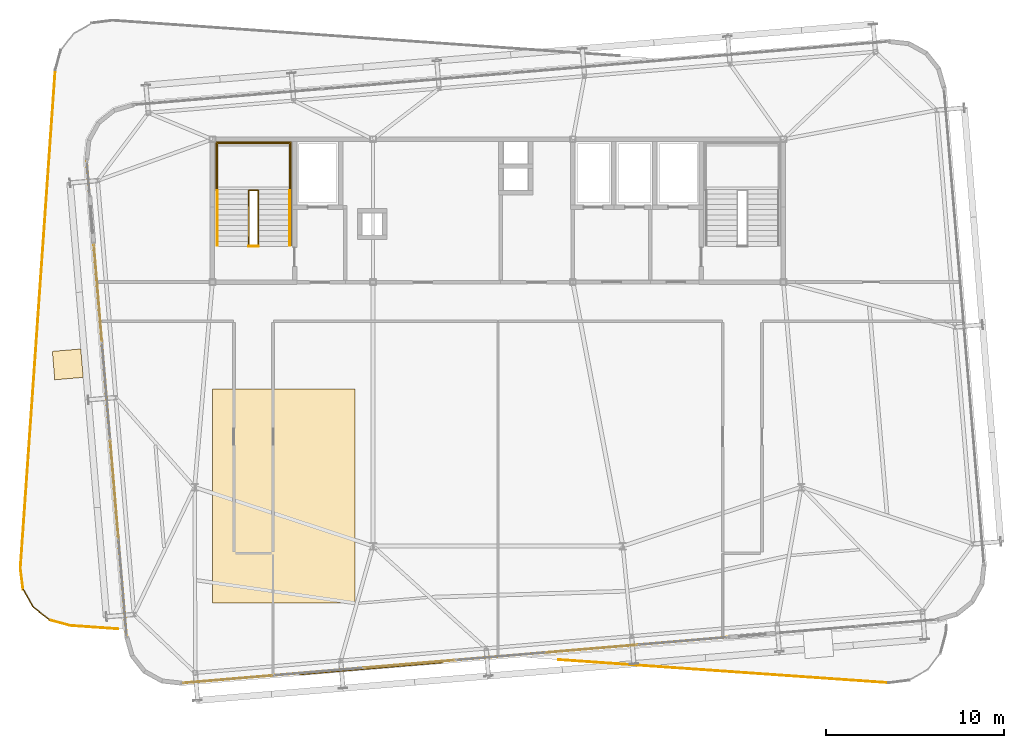
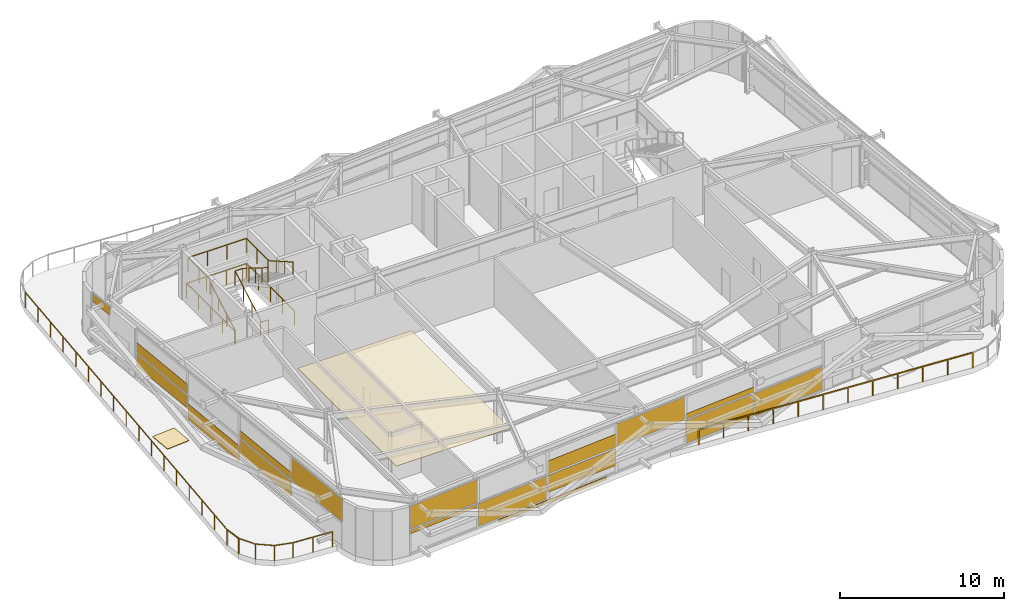
# One storey, part 36 of 38: 19 coverings, 13 railings.
"""IFC4 building model written with IfcOpenShell, lengths in metres."""

from ifc_helpers import new_model, si_unit, direction, frame, origin, origin_2d, place, context, subcontext, project, spatial, rectangle, extrude, source, transform, mapped, material, layer, layer_set, type_object, element, save


model = new_model("IFC4")

# Units and contexts
model_context = context("Model", 3, precision=1e-05, world=origin(), true_north=direction((0.0, 1.0)))
body_context = subcontext(model_context, "Body", "Model", "MODEL_VIEW")
ifc_project = project(units=[si_unit("LENGTHUNIT", "METRE"), si_unit("AREAUNIT", "SQUARE_METRE"), si_unit("VOLUMEUNIT", "CUBIC_METRE"), si_unit("PLANEANGLEUNIT", "RADIAN"), si_unit("MASSUNIT", "GRAM", prefix="KILO")], contexts=[model_context])

# Site, building, storey
site_placement = place(None, origin())
site = spatial("IfcSite", under=ifc_project, at=site_placement, CompositionType="ELEMENT")
building_placement = place(site_placement, origin())
building = spatial("IfcBuilding", under=site, at=building_placement, Name="Taldren Reach Tower", CompositionType="ELEMENT")
storey_placement = place(building_placement, frame((0.0, 0.0, 168.699951171875)))
storey = spatial("IfcBuildingStorey", under=building, at=storey_placement, Name="L51", CompositionType="ELEMENT", Elevation=168.699951171875)

# Railings
ifc_material_1 = material(Name="Steel Gr 350 (C350L0)", Category="steel")
ifc_layer_1 = layer(ifc_material_1, 0.050048828125)
ifc_layer_set_1 = layer_set([ifc_layer_1], Name="Steel Gr 350 (C350L0)")
railing_type_1 = type_object("IfcRailingType", Name="RL-STAIR-GR", PredefinedType="GUARDRAIL", material=ifc_layer_set_1)
railing_1_placement = place(storey_placement, frame((19.260009765625, 29.135009765625, 1.925048828125)))
element("IfcRailing", 1, at=railing_1_placement, inside=storey, type_object=railing_type_1, Name="Stair half-landing perimeter guard ST1-L51", PredefinedType="GUARDRAIL", context=body_context, shape_type="SweptSolid", body=[
    extrude(rectangle(XDim=0.047852, YDim=0.047852, at=origin_2d()), frame((0.0, 0.0, 1.09619140625), z_axis=(0.0, 1.0, 0.0), x_axis=(-1.0, 0.0, 0.0)), (0.0, 0.0, 1.0), 2.64501953125),
    extrude(rectangle(XDim=0.047852, YDim=0.047852, at=origin_2d()), frame((0.0, 2.64501953125, 1.09619140625), z_axis=(1.0, 0.0, 0.0), x_axis=(0.0, 1.0, 0.0)), (0.0, 0.0, 1.0), 4.080078125),
    extrude(rectangle(XDim=0.047852, YDim=0.047852, at=origin_2d()), frame((4.080078125, 2.64501953125, 1.09619140625), z_axis=(0.0, -1.0, 0.0), x_axis=(1.0, 0.0, 0.0)), (0.0, 0.0, 1.0), 2.64501953125),
    extrude(rectangle(XDim=0.041992, YDim=0.041992, at=origin_2d()), origin(), (0.0, 0.0, 1.0), 1.072021484375),
    extrude(rectangle(XDim=0.041992, YDim=0.041992, at=origin_2d()), frame((0.0, 1.322509765625, 0.0)), (0.0, 0.0, 1.0), 1.072021484375),
    extrude(rectangle(XDim=0.041992, YDim=0.041992, at=origin_2d()), frame((0.0, 2.64501953125, 0.0)), (0.0, 0.0, 1.0), 1.072021484375),
    extrude(rectangle(XDim=0.041992, YDim=0.041992, at=origin_2d()), frame((1.360107421875, 2.64501953125, 0.0)), (0.0, 0.0, 1.0), 1.072021484375),
    extrude(rectangle(XDim=0.041992, YDim=0.041992, at=origin_2d()), frame((2.719970703125, 2.64501953125, 0.0)), (0.0, 0.0, 1.0), 1.072021484375),
    extrude(rectangle(XDim=0.041992, YDim=0.041992, at=origin_2d()), frame((4.080078125, 2.64501953125, 0.0)), (0.0, 0.0, 1.0), 1.072021484375),
    extrude(rectangle(XDim=0.041992, YDim=0.041992, at=origin_2d()), frame((4.080078125, 1.322509765625, 0.0)), (0.0, 0.0, 1.0), 1.072021484375),
    extrude(rectangle(XDim=0.041992, YDim=0.041992, at=origin_2d()), frame((4.080078125, 0.0, 0.0)), (0.0, 0.0, 1.0), 1.072021484375),
])
railing_2_placement = place(storey_placement, frame((21.030029296875, 26.050048828125, 0.160400390625)))
element("IfcRailing", 2, at=railing_2_placement, inside=storey, type_object=railing_type_1, Name="Stairwell inner guard ST1-L51", PredefinedType="GUARDRAIL", context=body_context, shape_type="SweptSolid", body=[
    extrude(rectangle(XDim=0.047852, YDim=0.047852, at=origin_2d()), frame((0.0, 0.0, 1.09619140625), z_axis=(0.0, 0.868023234622, 0.496523578652), x_axis=(-1.0, 0.0, 0.0)), (0.0, 0.0, 1.0), 3.553955078125),
    extrude(rectangle(XDim=0.047852, YDim=0.047852, at=origin_2d()), frame((0.0, 3.0849609375, 2.86083984375), z_axis=(1.0, 0.0, 0.0), x_axis=(0.0, 1.0, 0.0)), (0.0, 0.0, 1.0), 0.5400390625),
    extrude(rectangle(XDim=0.047852, YDim=0.047852, at=origin_2d()), frame((0.5400390625, 3.0849609375, 2.86083984375), z_axis=(0.0, -0.848375277705, 0.529395304266), x_axis=(1.0, 0.0, 0.0)), (0.0, 0.0, 1.0), 3.63623046875),
    extrude(rectangle(XDim=0.041992, YDim=0.041992, at=origin_2d()), origin(), (0.0, 0.0, 1.0), 1.072021484375),
    extrude(rectangle(XDim=0.041992, YDim=0.041992, at=origin_2d()), frame((0.0, 1.0283203125, 0.588134765625)), (0.0, 0.0, 1.0), 1.072021484375),
    extrude(rectangle(XDim=0.041992, YDim=0.041992, at=origin_2d()), frame((0.0, 2.056640625, 1.176513671875)), (0.0, 0.0, 1.0), 1.072021484375),
    extrude(rectangle(XDim=0.041992, YDim=0.041992, at=origin_2d()), frame((0.0, 3.0849609375, 1.7646484375)), (0.0, 0.0, 1.0), 1.072021484375),
    extrude(rectangle(XDim=0.041992, YDim=0.041992, at=origin_2d()), frame((0.5400390625, 3.0849609375, 1.7646484375)), (0.0, 0.0, 1.0), 1.072021484375),
    extrude(rectangle(XDim=0.041992, YDim=0.041992, at=origin_2d()), frame((0.5400390625, 2.313720703125, 2.245849609375)), (0.0, 0.0, 1.0), 1.072021484375),
    extrude(rectangle(XDim=0.041992, YDim=0.041992, at=origin_2d()), frame((0.5400390625, 1.54248046875, 2.72705078125)), (0.0, 0.0, 1.0), 1.072021484375),
    extrude(rectangle(XDim=0.041992, YDim=0.041992, at=origin_2d()), frame((0.5400390625, 0.771240234375, 3.20849609375)), (0.0, 0.0, 1.0), 1.072021484375),
    extrude(rectangle(XDim=0.041992, YDim=0.041992, at=origin_2d()), frame((0.5400390625, 0.0, 3.689697265625)), (0.0, 0.0, 1.0), 1.072021484375),
])
railing_3_placement = place(storey_placement, frame((21.030029296875, 26.010009765625, 0.0)))
element("IfcRailing", 3, at=railing_3_placement, inside=storey, type_object=railing_type_1, Name="Stairwell landing slot guard ST1-L51", PredefinedType="GUARDRAIL", context=body_context, shape_type="SweptSolid", body=[
    extrude(rectangle(XDim=0.047852, YDim=0.047852, at=origin_2d()), frame((0.0, 0.0, 1.09619140625), z_axis=(1.0, 0.0, 0.0), x_axis=(0.0, 1.0, 0.0)), (0.0, 0.0, 1.0), 0.5400390625),
    extrude(rectangle(XDim=0.041992, YDim=0.041992, at=origin_2d()), origin(), (0.0, 0.0, 1.0), 1.072021484375),
    extrude(rectangle(XDim=0.041992, YDim=0.041992, at=origin_2d()), frame((0.5400390625, 0.0, 0.0)), (0.0, 0.0, 1.0), 1.072021484375),
])
railing_4_placement = place(storey_placement, frame((19.18994140625, 26.050048828125, 0.0)))
element("IfcRailing", 4, at=railing_4_placement, inside=storey, type_object=railing_type_1, Name="Stairwell floor opening guard ST1-L51", PredefinedType="GUARDRAIL", context=body_context, shape_type="SweptSolid", body=[
    extrude(rectangle(XDim=0.047852, YDim=0.047852, at=origin_2d()), frame((0.0, 0.0, 1.09619140625), z_axis=(0.0, 1.0, 0.0), x_axis=(-1.0, 0.0, 0.0)), (0.0, 0.0, 1.0), 5.800048828125),
    extrude(rectangle(XDim=0.047852, YDim=0.047852, at=origin_2d()), frame((0.0, 5.800048828125, 1.09619140625), z_axis=(1.0, 0.0, 0.0), x_axis=(0.0, 1.0, 0.0)), (0.0, 0.0, 1.0), 4.219970703125),
    extrude(rectangle(XDim=0.047852, YDim=0.047852, at=origin_2d()), frame((4.219970703125, 5.800048828125, 1.09619140625), z_axis=(0.0, -1.0, 0.0), x_axis=(1.0, 0.0, 0.0)), (0.0, 0.0, 1.0), 5.800048828125),
    extrude(rectangle(XDim=0.041992, YDim=0.041992, at=origin_2d()), origin(), (0.0, 0.0, 1.0), 1.072021484375),
    extrude(rectangle(XDim=0.041992, YDim=0.041992, at=origin_2d()), frame((0.0, 1.449951171875, 0.0)), (0.0, 0.0, 1.0), 1.072021484375),
    extrude(rectangle(XDim=0.041992, YDim=0.041992, at=origin_2d()), frame((0.0, 2.89990234375, 0.0)), (0.0, 0.0, 1.0), 1.072021484375),
    extrude(rectangle(XDim=0.041992, YDim=0.041992, at=origin_2d()), frame((0.0, 4.35009765625, 0.0)), (0.0, 0.0, 1.0), 1.072021484375),
    extrude(rectangle(XDim=0.041992, YDim=0.041992, at=origin_2d()), frame((0.0, 5.800048828125, 0.0)), (0.0, 0.0, 1.0), 1.072021484375),
    extrude(rectangle(XDim=0.041992, YDim=0.041992, at=origin_2d()), frame((1.40673828125, 5.800048828125, 0.0)), (0.0, 0.0, 1.0), 1.072021484375),
    extrude(rectangle(XDim=0.041992, YDim=0.041992, at=origin_2d()), frame((2.813232421875, 5.800048828125, 0.0)), (0.0, 0.0, 1.0), 1.072021484375),
    extrude(rectangle(XDim=0.041992, YDim=0.041992, at=origin_2d()), frame((4.219970703125, 5.800048828125, 0.0)), (0.0, 0.0, 1.0), 1.072021484375),
    extrude(rectangle(XDim=0.041992, YDim=0.041992, at=origin_2d()), frame((4.219970703125, 4.35009765625, 0.0)), (0.0, 0.0, 1.0), 1.072021484375),
    extrude(rectangle(XDim=0.041992, YDim=0.041992, at=origin_2d()), frame((4.219970703125, 2.89990234375, 0.0)), (0.0, 0.0, 1.0), 1.072021484375),
    extrude(rectangle(XDim=0.041992, YDim=0.041992, at=origin_2d()), frame((4.219970703125, 1.449951171875, 0.0)), (0.0, 0.0, 1.0), 1.072021484375),
    extrude(rectangle(XDim=0.041992, YDim=0.041992, at=origin_2d()), frame((4.219970703125, 0.0, 0.0)), (0.0, 0.0, 1.0), 1.072021484375),
])
ifc_material_2 = material(Name="Stainless Steel Gr 316", Category="steel")
ifc_layer_2 = layer(ifc_material_2, 0.048095703125)
ifc_layer_set_2 = layer_set([ifc_layer_2], Name="Stainless Steel Gr 316")
railing_type_2 = type_object("IfcRailingType", Name="RL-STAIR-HR", PredefinedType="HANDRAIL", material=ifc_layer_set_2)
railing_5_placement = place(storey_placement, frame((19.27001953125, 26.050048828125, 0.160400390625)))
element("IfcRailing", 5, at=railing_5_placement, inside=storey, type_object=railing_type_2, Name="Stair flight handrail ST1-L51-1", PredefinedType="HANDRAIL", context=body_context, shape_type="SweptSolid", body=[
    extrude(rectangle(XDim=0.047852, YDim=0.047852, at=origin_2d()), frame((0.0, 0.0, 0.89599609375), z_axis=(0.0, 0.868023234622, 0.496523578652), x_axis=(-1.0, 0.0, 0.0)), (0.0, 0.0, 1.0), 3.553955078125),
    extrude(rectangle(XDim=0.041992, YDim=0.041992, at=origin_2d()), origin(), (0.0, 0.0, 1.0), 0.871826171875),
    extrude(rectangle(XDim=0.041992, YDim=0.041992, at=origin_2d()), frame((0.0, 1.0283203125, 0.588134765625)), (0.0, 0.0, 1.0), 0.871826171875),
    extrude(rectangle(XDim=0.041992, YDim=0.041992, at=origin_2d()), frame((0.0, 2.056640625, 1.176513671875)), (0.0, 0.0, 1.0), 0.871826171875),
    extrude(rectangle(XDim=0.041992, YDim=0.041992, at=origin_2d()), frame((0.0, 3.0849609375, 1.7646484375)), (0.0, 0.0, 1.0), 0.871826171875),
])
railing_6_placement = place(storey_placement, frame((23.330078125, 29.135009765625, 2.08544921875)))
element("IfcRailing", 6, at=railing_6_placement, inside=storey, type_object=railing_type_2, Name="Stair flight handrail ST1-L51-2", PredefinedType="HANDRAIL", context=body_context, shape_type="SweptSolid", body=[
    extrude(rectangle(XDim=0.047852, YDim=0.047852, at=origin_2d()), frame((0.0, 0.0, 0.89599609375), z_axis=(0.0, -0.868023234622, 0.496523578652), x_axis=(1.0, 0.0, 0.0)), (0.0, 0.0, 1.0), 3.553955078125),
    extrude(rectangle(XDim=0.041992, YDim=0.041992, at=origin_2d()), origin(), (0.0, 0.0, 1.0), 0.871826171875),
    extrude(rectangle(XDim=0.041992, YDim=0.041992, at=origin_2d()), frame((0.0, -1.0283203125, 0.588134765625)), (0.0, 0.0, 1.0), 0.871826171875),
    extrude(rectangle(XDim=0.041992, YDim=0.041992, at=origin_2d()), frame((0.0, -2.056640625, 1.176513671875)), (0.0, 0.0, 1.0), 0.871826171875),
    extrude(rectangle(XDim=0.041992, YDim=0.041992, at=origin_2d()), frame((0.0, -3.0849609375, 1.7646484375)), (0.0, 0.0, 1.0), 0.871826171875),
])
ifc_material_3 = material(Name="Laminated Glass and Pale-Anodised Aluminium Balustrade", Category="aluminium")
ifc_layer_3 = layer(ifc_material_3, 0.070068359375)
ifc_layer_set_3 = layer_set([ifc_layer_3], Name="Laminated Glass and Pale-Anodised Aluminium Balustrade")
railing_type_3 = type_object("IfcRailingType", Name="RL-TERR-1150", PredefinedType="GUARDRAIL", material=ifc_layer_set_3)
railing_7_placement = place(storey_placement, frame((9.890869140625, 5.0537109375, 0.0)))
element("IfcRailing", 7, at=railing_7_placement, inside=storey, type_object=railing_type_3, Name="Outdoor terrace guardrail TERR-L51-1-01", PredefinedType="GUARDRAIL", context=body_context, shape_type="SweptSolid", body=[
    extrude(rectangle(XDim=0.047852, YDim=0.047852, at=origin_2d()), frame((0.0, 0.0, 1.1259765625), z_axis=(-0.790720450687, 0.612177399833, 0.0), x_axis=(-0.612177399833, -0.790720450687, 0.0)), (0.0, 0.0, 1.0), 1.17041015625),
    extrude(rectangle(XDim=0.041992, YDim=0.041992, at=origin_2d()), origin(), (0.0, 0.0, 1.0), 1.101806640625),
    extrude(rectangle(XDim=0.041992, YDim=0.041992, at=origin_2d()), frame((-0.925537109375, 0.716552734375, 0.0)), (0.0, 0.0, 1.0), 1.101806640625),
])
railing_8_placement = place(storey_placement, frame((8.96533203125, 5.770263671875, 0.0)))
element("IfcRailing", 8, at=railing_8_placement, inside=storey, type_object=railing_type_3, Name="Outdoor terrace guardrail TERR-L51-1-02", PredefinedType="GUARDRAIL", context=body_context, shape_type="SweptSolid", body=[
    extrude(rectangle(XDim=0.047852, YDim=0.047852, at=origin_2d()), frame((0.0, 0.0, 1.1259765625), z_axis=(-0.49616139837, 0.868230307446, 0.0), x_axis=(-0.868230307446, -0.49616139837, 0.0)), (0.0, 0.0, 1.0), 1.170654296875),
    extrude(rectangle(XDim=0.041992, YDim=0.041992, at=origin_2d()), origin(), (0.0, 0.0, 1.0), 1.101806640625),
    extrude(rectangle(XDim=0.041992, YDim=0.041992, at=origin_2d()), frame((-0.580810546875, 1.016357421875, 0.0)), (0.0, 0.0, 1.0), 1.101806640625),
])
railing_9_placement = place(storey_placement, frame((8.384521484375, 6.78662109375, 0.0)))
element("IfcRailing", 9, at=railing_9_placement, inside=storey, type_object=railing_type_3, Name="Outdoor terrace guardrail TERR-L51-1-03", PredefinedType="GUARDRAIL", context=body_context, shape_type="SweptSolid", body=[
    extrude(rectangle(XDim=0.047852, YDim=0.047852, at=origin_2d()), frame((0.0, 0.0, 1.1259765625), z_axis=(-0.12619083693, 0.992005984193, 0.0), x_axis=(-0.992005984193, -0.12619083693, 0.0)), (0.0, 0.0, 1.0), 1.17041015625),
    extrude(rectangle(XDim=0.041992, YDim=0.041992, at=origin_2d()), origin(), (0.0, 0.0, 1.0), 1.101806640625),
    extrude(rectangle(XDim=0.041992, YDim=0.041992, at=origin_2d()), frame((-0.147705078125, 1.1611328125, 0.0)), (0.0, 0.0, 1.0), 1.101806640625),
])
railing_10_placement = place(storey_placement, frame((8.23681640625, 7.94775390625, 0.0)))
element("IfcRailing", 10, at=railing_10_placement, inside=storey, type_object=railing_type_3, Name="Outdoor terrace guardrail TERR-L51-1-04", PredefinedType="GUARDRAIL", context=body_context, shape_type="SweptSolid", body=[
    extrude(rectangle(XDim=0.047852, YDim=0.047852, at=origin_2d()), frame((0.0, 0.0, 1.1259765625), z_axis=(0.069754247024, 0.997564205965, 0.0), x_axis=(-0.997564205965, 0.069754247024, 0.0)), (0.0, 0.0, 1.0), 28.0),
    extrude(rectangle(XDim=0.041992, YDim=0.041992, at=origin_2d()), origin(), (0.0, 0.0, 1.0), 1.101806640625),
    extrude(rectangle(XDim=0.041992, YDim=0.041992, at=origin_2d()), frame((0.1220703125, 1.745849609375, 0.0)), (0.0, 0.0, 1.0), 1.101806640625),
    extrude(rectangle(XDim=0.041992, YDim=0.041992, at=origin_2d()), frame((0.244140625, 3.491455078125, 0.0)), (0.0, 0.0, 1.0), 1.101806640625),
    extrude(rectangle(XDim=0.041992, YDim=0.041992, at=origin_2d()), frame((0.3662109375, 5.2373046875, 0.0)), (0.0, 0.0, 1.0), 1.101806640625),
    extrude(rectangle(XDim=0.041992, YDim=0.041992, at=origin_2d()), frame((0.48828125, 6.98291015625, 0.0)), (0.0, 0.0, 1.0), 1.101806640625),
    extrude(rectangle(XDim=0.041992, YDim=0.041992, at=origin_2d()), frame((0.6103515625, 8.728759765625, 0.0)), (0.0, 0.0, 1.0), 1.101806640625),
    extrude(rectangle(XDim=0.041992, YDim=0.041992, at=origin_2d()), frame((0.732421875, 10.474365234375, 0.0)), (0.0, 0.0, 1.0), 1.101806640625),
    extrude(rectangle(XDim=0.041992, YDim=0.041992, at=origin_2d()), frame((0.8544921875, 12.22021484375, 0.0)), (0.0, 0.0, 1.0), 1.101806640625),
    extrude(rectangle(XDim=0.041992, YDim=0.041992, at=origin_2d()), frame((0.9765625, 13.9658203125, 0.0)), (0.0, 0.0, 1.0), 1.101806640625),
    extrude(rectangle(XDim=0.041992, YDim=0.041992, at=origin_2d()), frame((1.0986328125, 15.711669921875, 0.0)), (0.0, 0.0, 1.0), 1.101806640625),
    extrude(rectangle(XDim=0.041992, YDim=0.041992, at=origin_2d()), frame((1.220703125, 17.45751953125, 0.0)), (0.0, 0.0, 1.0), 1.101806640625),
    extrude(rectangle(XDim=0.041992, YDim=0.041992, at=origin_2d()), frame((1.3427734375, 19.203125, 0.0)), (0.0, 0.0, 1.0), 1.101806640625),
    extrude(rectangle(XDim=0.041992, YDim=0.041992, at=origin_2d()), frame((1.46484375, 20.948974609375, 0.0)), (0.0, 0.0, 1.0), 1.101806640625),
    extrude(rectangle(XDim=0.041992, YDim=0.041992, at=origin_2d()), frame((1.5869140625, 22.694580078125, 0.0)), (0.0, 0.0, 1.0), 1.101806640625),
    extrude(rectangle(XDim=0.041992, YDim=0.041992, at=origin_2d()), frame((1.708984375, 24.4404296875, 0.0)), (0.0, 0.0, 1.0), 1.101806640625),
    extrude(rectangle(XDim=0.041992, YDim=0.041992, at=origin_2d()), frame((1.8310546875, 26.18603515625, 0.0)), (0.0, 0.0, 1.0), 1.101806640625),
    extrude(rectangle(XDim=0.041992, YDim=0.041992, at=origin_2d()), frame((1.953125, 27.931884765625, 0.0)), (0.0, 0.0, 1.0), 1.101806640625),
])
railing_11_placement = place(storey_placement, frame((13.6982421875, 4.55859375, 0.0)))
element("IfcRailing", 11, at=railing_11_placement, inside=storey, type_object=railing_type_3, Name="Outdoor terrace guardrail TERR-L51-1-10", PredefinedType="GUARDRAIL", context=body_context, shape_type="SweptSolid", body=[
    extrude(rectangle(XDim=0.047852, YDim=0.047852, at=origin_2d()), frame((0.0, 0.0, 1.1259765625), z_axis=(-0.997564222393, 0.069754012086, 0.0), x_axis=(-0.069754012086, -0.997564222393, 0.0)), (0.0, 0.0, 1.0), 2.6845703125),
    extrude(rectangle(XDim=0.041992, YDim=0.041992, at=origin_2d()), origin(), (0.0, 0.0, 1.0), 1.101806640625),
    extrude(rectangle(XDim=0.041992, YDim=0.041992, at=origin_2d()), frame((-1.3388671875, 0.09375, 0.0)), (0.0, 0.0, 1.0), 1.101806640625),
    extrude(rectangle(XDim=0.041992, YDim=0.041992, at=origin_2d()), frame((-2.677978515625, 0.187255859375, 0.0)), (0.0, 0.0, 1.0), 1.101806640625),
])
railing_12_placement = place(storey_placement, frame((11.020263671875, 4.745849609375, 0.0)))
element("IfcRailing", 12, at=railing_12_placement, inside=storey, type_object=railing_type_3, Name="Outdoor terrace guardrail TERR-L51-1-11", PredefinedType="GUARDRAIL", context=body_context, shape_type="SweptSolid", body=[
    extrude(rectangle(XDim=0.047852, YDim=0.047852, at=origin_2d()), frame((0.0, 0.0, 1.1259765625), z_axis=(-0.964797503754, 0.262993872078, 0.0), x_axis=(-0.262993872078, -0.964797503754, 0.0)), (0.0, 0.0, 1.0), 1.170654296875),
    extrude(rectangle(XDim=0.041992, YDim=0.041992, at=origin_2d()), origin(), (0.0, 0.0, 1.0), 1.101806640625),
    extrude(rectangle(XDim=0.041992, YDim=0.041992, at=origin_2d()), frame((-1.12939453125, 0.307861328125, 0.0)), (0.0, 0.0, 1.0), 1.101806640625),
])
railing_13_placement = place(storey_placement, frame((56.908203125, 1.537109375, 0.0)))
element("IfcRailing", 13, at=railing_13_placement, inside=storey, type_object=railing_type_3, Name="Outdoor terrace guardrail TERR-L51-2-04", PredefinedType="GUARDRAIL", context=body_context, shape_type="SweptSolid", body=[
    extrude(rectangle(XDim=0.047852, YDim=0.047852, at=origin_2d()), frame((0.0, 0.0, 1.1259765625), z_axis=(-0.997564419789, 0.069751189028, 0.0), x_axis=(-0.069751189028, -0.997564419789, 0.0)), (0.0, 0.0, 1.0), 18.54736328125),
    extrude(rectangle(XDim=0.041992, YDim=0.041992, at=origin_2d()), origin(), (0.0, 0.0, 1.0), 1.101806640625),
    extrude(rectangle(XDim=0.041992, YDim=0.041992, at=origin_2d()), frame((-1.68212890625, 0.11767578125, 0.0)), (0.0, 0.0, 1.0), 1.101806640625),
    extrude(rectangle(XDim=0.041992, YDim=0.041992, at=origin_2d()), frame((-3.364013671875, 0.235107421875, 0.0)), (0.0, 0.0, 1.0), 1.101806640625),
    extrude(rectangle(XDim=0.041992, YDim=0.041992, at=origin_2d()), frame((-5.046142578125, 0.352783203125, 0.0)), (0.0, 0.0, 1.0), 1.101806640625),
    extrude(rectangle(XDim=0.041992, YDim=0.041992, at=origin_2d()), frame((-6.72802734375, 0.470458984375, 0.0)), (0.0, 0.0, 1.0), 1.101806640625),
    extrude(rectangle(XDim=0.041992, YDim=0.041992, at=origin_2d()), frame((-8.41015625, 0.588134765625, 0.0)), (0.0, 0.0, 1.0), 1.101806640625),
    extrude(rectangle(XDim=0.041992, YDim=0.041992, at=origin_2d()), frame((-10.092041015625, 0.70556640625, 0.0)), (0.0, 0.0, 1.0), 1.101806640625),
    extrude(rectangle(XDim=0.041992, YDim=0.041992, at=origin_2d()), frame((-11.774169921875, 0.8232421875, 0.0)), (0.0, 0.0, 1.0), 1.101806640625),
    extrude(rectangle(XDim=0.041992, YDim=0.041992, at=origin_2d()), frame((-13.4560546875, 0.94091796875, 0.0)), (0.0, 0.0, 1.0), 1.101806640625),
    extrude(rectangle(XDim=0.041992, YDim=0.041992, at=origin_2d()), frame((-15.13818359375, 1.05859375, 0.0)), (0.0, 0.0, 1.0), 1.101806640625),
    extrude(rectangle(XDim=0.041992, YDim=0.041992, at=origin_2d()), frame((-16.820068359375, 1.176025390625, 0.0)), (0.0, 0.0, 1.0), 1.101806640625),
    extrude(rectangle(XDim=0.041992, YDim=0.041992, at=origin_2d()), frame((-18.502197265625, 1.293701171875, 0.0)), (0.0, 0.0, 1.0), 1.101806640625),
])

# Coverings
ifc_material_4 = material(Name="Pale Champagne Fluoropolymer Aluminium Spandrel Cladding", Category="aluminium")
ifc_layer_4 = layer(ifc_material_4, 0.06005859375)
ifc_layer_set_4 = layer_set([ifc_layer_4], Name="Pale Champagne Fluoropolymer Aluminium Spandrel Cladding")
covering_type_1 = type_object("IfcCoveringType", Name="CV-CLAD-060", PredefinedType="CLADDING", material=ifc_layer_set_4)
shared_shape_1 = source(origin(), body_context, "Body", "SweptSolid", [
    extrude(rectangle(XDim=8.0, YDim=0.06005859375, at=origin_2d()), origin(), (0.0, 0.0, 1.0), 0.219970703125),
])
covering_1_placement = place(storey_placement, frame((27.8779296875, 2.34814453125, -0.2197265625), z_axis=(0.0, 0.0, 1.0), x_axis=(0.99649285925, 0.083677843332, 0.0)))
element("IfcCovering", 14, at=covering_1_placement, inside=storey, type_object=covering_type_1, Name="Pale-metal architectural fascia band L51", PredefinedType="CLADDING", context=body_context, shape_type="MappedRepresentation", body=[
    mapped(shared_shape_1, transform((0.0, 0.0, 0.0), scale=1.0)),
])
ifc_material_5 = material(Name="SBS Modified Bitumen Waterproofing and Ballast Membrane")
ifc_layer_5 = layer(ifc_material_5, 0.080078125)
ifc_layer_set_5 = layer_set([ifc_layer_5], Name="SBS Modified Bitumen Waterproofing and Ballast Membrane")
covering_type_2 = type_object("IfcCoveringType", Name="CV-ROOF-080", PredefinedType="ROOFING", material=ifc_layer_set_5)
shared_shape_2 = source(origin(), body_context, "Body", "SweptSolid", [
    extrude(rectangle(XDim=1.60009765625, YDim=1.60009765625, at=origin_2d()), origin(), (0.0, 0.0, 1.0), 0.0400390625),
])
covering_2_placement = place(storey_placement, frame((10.890380859375, 19.384521484375, 0.0), z_axis=(0.0, 0.0, 1.0), x_axis=(0.99649285925, 0.083677843332, 0.0)))
element("IfcCovering", 15, at=covering_2_placement, inside=storey, type_object=covering_type_2, Name="Terrace waterproofing layer L51-1", PredefinedType="ROOFING", context=body_context, shape_type="MappedRepresentation", body=[
    mapped(shared_shape_2, transform((0.0, 0.0, 0.0), scale=1.0)),
])
ifc_material_6 = material(Name="Perforated Acoustic Mineral-Fibre Ceiling Tile")
ifc_layer_6 = layer(ifc_material_6, 0.02490234375)
ifc_layer_set_6 = layer_set([ifc_layer_6], Name="Perforated Acoustic Mineral-Fibre Ceiling Tile")
covering_type_3 = type_object("IfcCoveringType", Name="CV-CEIL-025", PredefinedType="CEILING", material=ifc_layer_set_6)
shared_shape_3 = source(origin(), body_context, "Body", "SweptSolid", [
    extrude(rectangle(XDim=8.0, YDim=12.0, at=origin_2d()), origin(), (0.0, 0.0, 1.0), 0.02490234375),
])
covering_3_placement = place(storey_placement, frame((23.0, 12.0, 3.237548828125), z_axis=(0.0, 0.0, 1.0), x_axis=(1.0, 0.0, 0.0)))
element("IfcCovering", 16, at=covering_3_placement, inside=storey, type_object=covering_type_3, Name="Suspended acoustic ceiling L51-10", PredefinedType="CEILING", context=body_context, shape_type="MappedRepresentation", body=[
    mapped(shared_shape_3, transform((0.0, 0.0, 0.0), scale=1.0)),
])
ifc_layer_7 = layer(ifc_material_4, 0.0439453125)
ifc_layer_set_7 = layer_set([ifc_layer_7], Name="Pale Champagne Fluoropolymer Aluminium Spandrel Cladding")
covering_type_4 = type_object("IfcCoveringType", Name="CV-CLAD-044", PredefinedType="CLADDING", material=ifc_layer_set_7)
shared_shape_4 = source(origin(), body_context, "Body", "SweptSolid", [
    extrude(rectangle(XDim=5.010498046875, YDim=0.0439453125, at=origin_2d()), origin(), (0.0, 0.0, 1.0), 0.242431640625),
])
covering_4_placement = place(storey_placement, frame((19.856201171875, 1.73486328125, 1.5126953125), z_axis=(0.0, 0.0, 1.0), x_axis=(0.996492853205, 0.083677915318, 0.0)))
element("IfcCovering", 17, at=covering_4_placement, inside=storey, type_object=covering_type_4, Name="Diagrid closure cladding strip CW-7 panel 1.1 1", PredefinedType="CLADDING", context=body_context, shape_type="MappedRepresentation", body=[
    mapped(shared_shape_4, transform((0.0, 0.0, 0.0), scale=1.0)),
])
shared_shape_5 = source(origin(), body_context, "Body", "SweptSolid", [
    extrude(rectangle(XDim=5.0478515625, YDim=0.0439453125, at=origin_2d()), origin(), (0.0, 0.0, 1.0), 1.695068359375),
])
for number, where, z_axis, x_axis, name in (
    (18, (24.942626953125, 2.161865234375, 0.06005859375), (0.0, 0.0, 1.0), (0.996492853205, 0.083677915318, 0.0), "Diagrid closure cladding strip CW-7 panel 2.1 1"),
    (19, (40.25732421875, 3.447998046875, 0.06005859375), (0.0, 0.0, 1.0), (0.996492853205, 0.083677915318, 0.0), "Diagrid closure cladding strip CW-7 panel 5.1 1"),
    (20, (35.15234375, 3.019287109375, 1.875), (0.0, 0.0, 1.0), (0.996492853205, 0.083677915318, 0.0), "Diagrid closure cladding strip CW-7 panel 4.1 1"),
):
    element("IfcCovering", number, at=place(storey_placement, frame(where, z_axis=z_axis, x_axis=x_axis)), inside=storey, type_object=covering_type_4, Name=name, PredefinedType="CLADDING", context=body_context, shape_type="MappedRepresentation", body=[
        mapped(shared_shape_5, transform((0.0, 0.0, 0.0), scale=1.0)),
    ])
shared_shape_6 = source(origin(), body_context, "Body", "SweptSolid", [
    extrude(rectangle(XDim=5.0478515625, YDim=0.0439453125, at=origin_2d()), origin(), (0.0, 0.0, 1.0), 1.234130859375),
])
covering_5_placement = place(storey_placement, frame((30.047607421875, 2.590576171875, 0.52099609375), z_axis=(0.0, 0.0, 1.0), x_axis=(0.996492853205, 0.083677915318, 0.0)))
element("IfcCovering", 21, at=covering_5_placement, inside=storey, type_object=covering_type_4, Name="Diagrid closure cladding strip CW-7 panel 3.1 1", PredefinedType="CLADDING", context=body_context, shape_type="MappedRepresentation", body=[
    mapped(shared_shape_6, transform((0.0, 0.0, 0.0), scale=1.0)),
])
shared_shape_7 = source(origin(), body_context, "Body", "SweptSolid", [
    extrude(rectangle(XDim=5.010498046875, YDim=0.0439453125, at=origin_2d()), origin(), (0.0, 0.0, 1.0), 1.695068359375),
])
for number, where, z_axis, x_axis, name in (
    (22, (45.34375, 3.875, 0.06005859375), (0.0, 0.0, 1.0), (0.996492853205, 0.083677915318, 0.0), "Diagrid closure cladding strip CW-7 panel 6.1 1"),
    (23, (19.856201171875, 1.73486328125, 1.875), (0.0, 0.0, 1.0), (0.996492853205, 0.083677915318, 0.0), "Diagrid closure cladding strip CW-7 panel 1.1 1"),
):
    element("IfcCovering", number, at=place(storey_placement, frame(where, z_axis=z_axis, x_axis=x_axis)), inside=storey, type_object=covering_type_4, Name=name, PredefinedType="CLADDING", context=body_context, shape_type="MappedRepresentation", body=[
        mapped(shared_shape_7, transform((0.0, 0.0, 0.0), scale=1.0)),
    ])
shared_shape_8 = source(origin(), body_context, "Body", "SweptSolid", [
    extrude(rectangle(XDim=5.0478515625, YDim=0.0439453125, at=origin_2d()), origin(), (0.0, 0.0, 1.0), 0.972900390625),
])
covering_6_placement = place(storey_placement, frame((30.047607421875, 2.590576171875, 1.875), z_axis=(0.0, 0.0, 1.0), x_axis=(0.996492853205, 0.083677915318, 0.0)))
element("IfcCovering", 24, at=covering_6_placement, inside=storey, type_object=covering_type_4, Name="Diagrid closure cladding strip CW-7 panel 3.1 1", PredefinedType="CLADDING", context=body_context, shape_type="MappedRepresentation", body=[
    mapped(shared_shape_8, transform((0.0, 0.0, 0.0), scale=1.0)),
])
shared_shape_9 = source(origin(), body_context, "Body", "SweptSolid", [
    extrude(rectangle(XDim=5.0478515625, YDim=0.0439453125, at=origin_2d()), origin(), (0.0, 0.0, 1.0), 0.383544921875),
])
covering_7_placement = place(storey_placement, frame((40.25732421875, 3.447998046875, 1.875), z_axis=(0.0, 0.0, 1.0), x_axis=(0.996492853205, 0.083677915318, 0.0)))
element("IfcCovering", 25, at=covering_7_placement, inside=storey, type_object=covering_type_4, Name="Diagrid closure cladding strip CW-7 panel 5.1 1", PredefinedType="CLADDING", context=body_context, shape_type="MappedRepresentation", body=[
    mapped(shared_shape_9, transform((0.0, 0.0, 0.0), scale=1.0)),
])
shared_shape_10 = source(origin(), body_context, "Body", "SweptSolid", [
    extrude(rectangle(XDim=1.85009765625, YDim=0.0439453125, at=origin_2d()), origin(), (0.0, 0.0, 1.0), 0.596923828125),
])
covering_8_placement = place(storey_placement, frame((12.036865234375, 29.839111328125, 2.97314453125), z_axis=(0.0, 0.0, 1.0), x_axis=(0.083680223317, -0.996492659394, 0.0)))
element("IfcCovering", 26, at=covering_8_placement, inside=storey, type_object=covering_type_4, Name="Diagrid closure cladding strip CW-7 panel 1.1 1", PredefinedType="CLADDING", context=body_context, shape_type="MappedRepresentation", body=[
    mapped(shared_shape_10, transform((0.0, 0.0, 0.0), scale=1.0)),
])
shared_shape_11 = source(origin(), body_context, "Body", "SweptSolid", [
    extrude(rectangle(XDim=5.41259765625, YDim=0.0439453125, at=origin_2d()), origin(), (0.0, 0.0, 1.0), 0.901611328125),
])
covering_9_placement = place(storey_placement, frame((12.579345703125, 23.380615234375, 0.853515625), z_axis=(0.0, 0.0, 1.0), x_axis=(0.083677836428, -0.996492859829, 0.0)))
element("IfcCovering", 27, at=covering_9_placement, inside=storey, type_object=covering_type_4, Name="Diagrid closure cladding strip CW-7 panel 1.1 1", PredefinedType="CLADDING", context=body_context, shape_type="MappedRepresentation", body=[
    mapped(shared_shape_11, transform((0.0, 0.0, 0.0), scale=1.0)),
])
shared_shape_12 = source(origin(), body_context, "Body", "SweptSolid", [
    extrude(rectangle(XDim=5.449951171875, YDim=0.0439453125, at=origin_2d()), origin(), (0.0, 0.0, 1.0), 1.15576171875),
])
covering_10_placement = place(storey_placement, frame((13.0400390625, 17.8935546875, 0.06005859375), z_axis=(0.0, 0.0, 1.0), x_axis=(0.083677836428, -0.996492859829, 0.0)))
element("IfcCovering", 28, at=covering_10_placement, inside=storey, type_object=covering_type_4, Name="Diagrid closure cladding strip CW-7 panel 2.1 1", PredefinedType="CLADDING", context=body_context, shape_type="MappedRepresentation", body=[
    mapped(shared_shape_12, transform((0.0, 0.0, 0.0), scale=1.0)),
])
shared_shape_13 = source(origin(), body_context, "Body", "SweptSolid", [
    extrude(rectangle(XDim=5.449951171875, YDim=0.0439453125, at=origin_2d()), origin(), (0.0, 0.0, 1.0), 1.11328125),
])
covering_11_placement = place(storey_placement, frame((13.50244140625, 12.387939453125, 0.641845703125), z_axis=(0.0, 0.0, 1.0), x_axis=(0.083677836428, -0.996492859829, 0.0)))
element("IfcCovering", 29, at=covering_11_placement, inside=storey, type_object=covering_type_4, Name="Diagrid closure cladding strip CW-7 panel 3.1 1", PredefinedType="CLADDING", context=body_context, shape_type="MappedRepresentation", body=[
    mapped(shared_shape_13, transform((0.0, 0.0, 0.0), scale=1.0)),
])
shared_shape_14 = source(origin(), body_context, "Body", "SweptSolid", [
    extrude(rectangle(XDim=5.41259765625, YDim=0.0439453125, at=origin_2d()), origin(), (0.0, 0.0, 1.0), 0.74853515625),
])
covering_12_placement = place(storey_placement, frame((12.579345703125, 23.380615234375, 1.875), z_axis=(0.0, 0.0, 1.0), x_axis=(0.083677836428, -0.996492859829, 0.0)))
element("IfcCovering", 30, at=covering_12_placement, inside=storey, type_object=covering_type_4, Name="Diagrid closure cladding strip CW-7 panel 1.1 1", PredefinedType="CLADDING", context=body_context, shape_type="MappedRepresentation", body=[
    mapped(shared_shape_14, transform((0.0, 0.0, 0.0), scale=1.0)),
])
shared_shape_15 = source(origin(), body_context, "Body", "SweptSolid", [
    extrude(rectangle(XDim=5.449951171875, YDim=0.0439453125, at=origin_2d()), origin(), (0.0, 0.0, 1.0), 0.546630859375),
])
covering_13_placement = place(storey_placement, frame((13.50244140625, 12.387939453125, 1.875), z_axis=(0.0, 0.0, 1.0), x_axis=(0.083677836428, -0.996492859829, 0.0)))
element("IfcCovering", 31, at=covering_13_placement, inside=storey, type_object=covering_type_4, Name="Diagrid closure cladding strip CW-7 panel 3.1 1", PredefinedType="CLADDING", context=body_context, shape_type="MappedRepresentation", body=[
    mapped(shared_shape_15, transform((0.0, 0.0, 0.0), scale=1.0)),
])
shared_shape_16 = source(origin(), body_context, "Body", "SweptSolid", [
    extrude(rectangle(XDim=5.41259765625, YDim=0.0439453125, at=origin_2d()), origin(), (0.0, 0.0, 1.0), 1.695068359375),
])
covering_14_placement = place(storey_placement, frame((13.963134765625, 6.901123046875, 1.875), z_axis=(0.0, 0.0, 1.0), x_axis=(0.083677836428, -0.996492859829, 0.0)))
element("IfcCovering", 32, at=covering_14_placement, inside=storey, type_object=covering_type_4, Name="Diagrid closure cladding strip CW-7 panel 4.1 1", PredefinedType="CLADDING", context=body_context, shape_type="MappedRepresentation", body=[
    mapped(shared_shape_16, transform((0.0, 0.0, 0.0), scale=1.0)),
])

save(model, "model.ifc")
